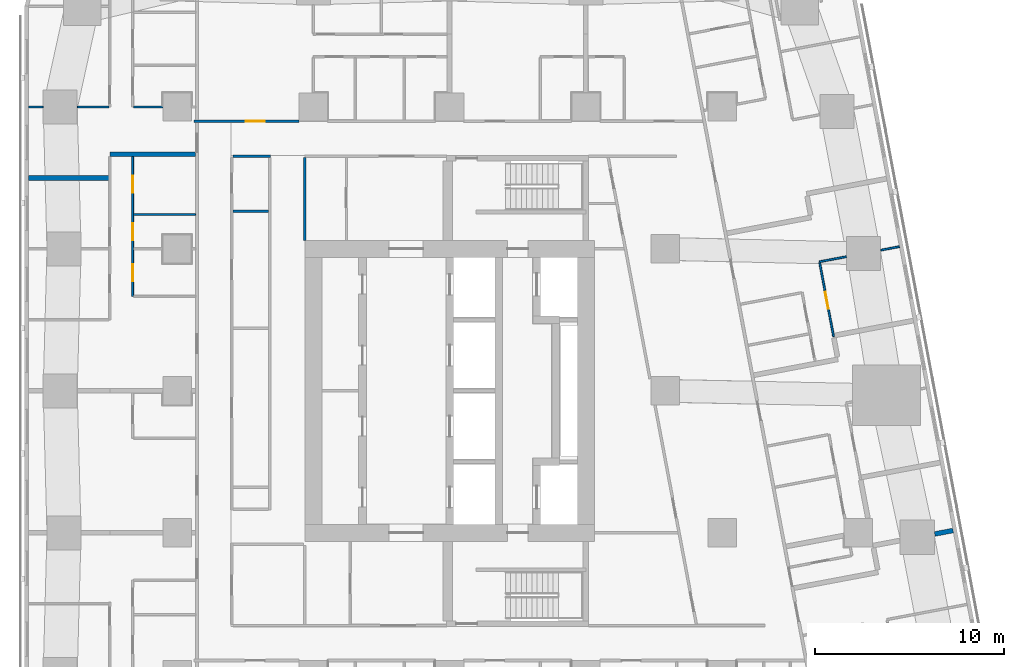
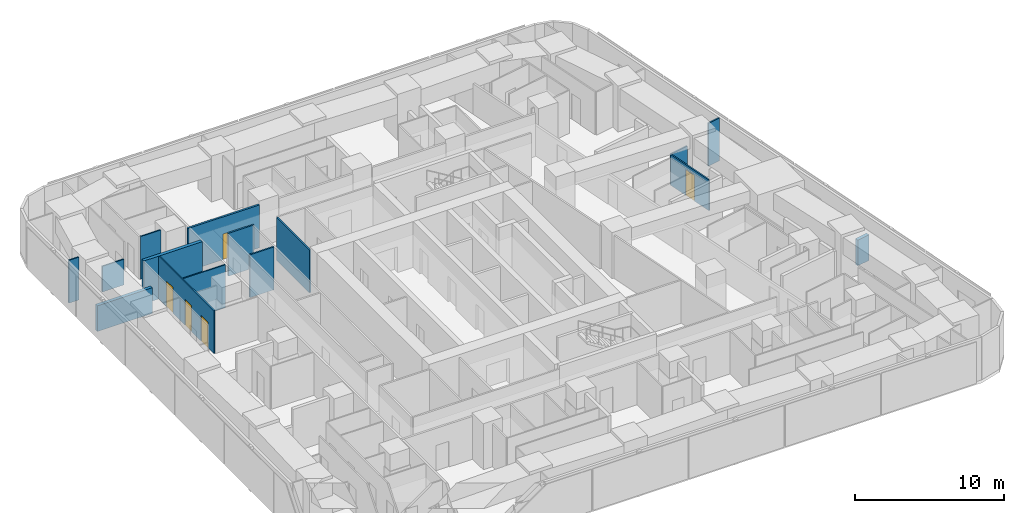
# One storey, part 8 of 15: 15 walls, 5 doors, 5 openings.
"""IFC4 building model written with IfcOpenShell, lengths in metres."""

from ifc_helpers import new_model, si_unit, direction, frame, frame_2d, origin, place, context, subcontext, project, spatial, rectangle, extrude, material, layer, layer_set, type_object, element, fill, save


model = new_model("IFC4")

# Units and contexts
model_context = context("Model", 3, precision=1e-05, world=origin(), true_north=direction((0.0, 1.0)))
body_context = subcontext(model_context, "Body", "Model", "MODEL_VIEW")
ifc_project = project(units=[si_unit("LENGTHUNIT", "METRE"), si_unit("AREAUNIT", "SQUARE_METRE"), si_unit("VOLUMEUNIT", "CUBIC_METRE"), si_unit("PLANEANGLEUNIT", "RADIAN"), si_unit("MASSUNIT", "GRAM", prefix="KILO")], contexts=[model_context])

# Site, building, storey
site_placement = place(None, origin())
site = spatial("IfcSite", under=ifc_project, at=site_placement, CompositionType="ELEMENT")
building_placement = place(site_placement, origin())
building = spatial("IfcBuilding", under=site, at=building_placement, Name="Sheger Commons Tower", CompositionType="ELEMENT")
storey_placement = place(building_placement, frame((0.0, 0.0, 177.050048828125)))
storey = spatial("IfcBuildingStorey", under=building, at=storey_placement, Name="L45", CompositionType="ELEMENT", Elevation=177.050048828125)

# Wall, opening, door
ifc_material_1 = material(Name="Hollow concrete block masonry, skimmed both sides", Category="masonry")
ifc_layer_1 = layer(ifc_material_1, 0.14990234375)
ifc_layer_set_1 = layer_set([ifc_layer_1], Name="CORRIDOR WALL 150")
wall_type_1 = type_object("IfcWallType", Name="CORRIDOR WALL 150", PredefinedType="SOLIDWALL", material=ifc_layer_set_1)
wall_1_placement = place(storey_placement, frame((8.10009765625, 36.75, 0.0), z_axis=(0.0, 0.0, 1.0), x_axis=(1.0, 0.0, 0.0)))
wall_1 = element("IfcWall", 1, at=wall_1_placement, inside=storey, type_object=wall_type_1, Name="Corridor wall L45", PredefinedType="SOLIDWALL", context=body_context, shape_type="SweptSolid", body=[
    extrude(rectangle(XDim=5.548828125, YDim=0.14990234375, at=frame_2d((2.7744140625, 0.0))), origin(), (0.0, 0.0, 1.0), 3.5),
])
opening_1_placement = place(wall_1_placement, frame((2.72509765625, 0.0, 0.0)))
opening_1 = element("IfcOpeningElement", 2, at=opening_1_placement, cuts=wall_1, Name="Opening D1", PredefinedType="OPENING", context=body_context, shape_type="SweptSolid", body=[
    extrude(rectangle(XDim=1.0, YDim=2.10009765625, at=frame_2d((0.5, 1.050048828125))), frame((0.0, 0.0849609375, 0.0), z_axis=(0.0, -1.0, 0.0), x_axis=(1.0, 0.0, 0.0)), (0.0, 0.0, 1.0), 0.169921875),
])
ifc_material_2 = material(Name="Steel door set, fire rated", Category="steel")
door_type_1 = type_object("IfcDoorType", Name="FLAT ENTRANCE DOOR 1000x2100", OperationType="NOTDEFINED", PredefinedType="DOOR", material=ifc_material_2)
door_1_placement = place(opening_1_placement, origin())
door_1 = element("IfcDoor", 3, at=door_1_placement, inside=storey, type_object=door_type_1, Name="Flat entrance door", OperationType="SINGLE_SWING_LEFT", OverallHeight=2.10009765625, OverallWidth=1.0, PredefinedType="DOOR", context=body_context, shape_type="SweptSolid", body=[
    extrude(rectangle(XDim=1.0, YDim=2.10009765625, at=frame_2d((0.5, 1.050048828125))), frame((0.0, 0.02490234375, 0.0), z_axis=(0.0, -1.0, 0.0), x_axis=(1.0, 0.0, 0.0)), (0.0, 0.0, 1.0), 0.050048828125),
])
fill(opening_1, door_1)

# Walls
ifc_material_3 = material(Name="Dense concrete block masonry, plastered both sides (separating wall between flats)", Category="masonry")
ifc_layer_2 = layer(ifc_material_3, 0.25)
ifc_layer_set_2 = layer_set([ifc_layer_2], Name="DEMISING WALL 250")
wall_type_2 = type_object("IfcWallType", Name="DEMISING WALL 250", PredefinedType="SOLIDWALL", material=ifc_layer_set_2)
wall_2_placement = place(storey_placement, frame((-0.64990234375, 33.75, 0.0), z_axis=(0.0, 0.0, 1.0), x_axis=(1.0, 0.0, 0.0)))
element("IfcWall", 4, at=wall_2_placement, inside=storey, type_object=wall_type_2, Name="Demising wall L45", PredefinedType="SOLIDWALL", context=body_context, shape_type="SweptSolid", body=[
    extrude(rectangle(XDim=4.25, YDim=0.25, at=frame_2d((2.125, 0.0))), origin(), (0.0, 0.0, 1.0), 2.099853515625),
])
wall_3_placement = place(storey_placement, frame((3.64990234375, 34.9990234375, 0.0), z_axis=(0.0, 0.0, 1.0), x_axis=(1.0, 0.0, 0.0)))
element("IfcWall", 5, at=wall_3_placement, inside=storey, type_object=wall_type_2, Name="Demising wall L45", PredefinedType="SOLIDWALL", context=body_context, shape_type="SweptSolid", body=[
    extrude(rectangle(XDim=4.525146484375, YDim=0.25, at=frame_2d((2.2626953125, 0.0))), origin(), (0.0, 0.0, 1.0), 3.5),
])
wall_4_placement = place(storey_placement, frame((48.2060546875, 15.1201171875, 0.0), z_axis=(0.0, 0.0, 1.0), x_axis=(-0.982576361834, -0.185859337043, 0.0)))
element("IfcWall", 6, at=wall_4_placement, inside=storey, type_object=wall_type_2, Name="Demising wall L45", PredefinedType="SOLIDWALL", context=body_context, shape_type="SweptSolid", body=[
    extrude(rectangle(XDim=0.985107421875, YDim=0.25, at=frame_2d((0.49267578125, 0.0))), origin(), (0.0, 0.0, 1.0), 2.099853515625),
])

# Wall, openings, doors
ifc_material_4 = material(Name="Gypsum board on steel studs", Category="steel")
ifc_layer_3 = layer(ifc_material_4, 0.10009765625)
ifc_layer_set_3 = layer_set([ifc_layer_3], Name="PARTITION 100")
wall_type_3 = type_object("IfcWallType", Name="PARTITION 100", PredefinedType="PARTITIONING", material=ifc_layer_set_3)
wall_5_placement = place(storey_placement, frame((4.85009765625, 27.4990234375, 0.0), z_axis=(0.0, 0.0, 1.0), x_axis=(0.0, 1.0, 0.0)))
wall_5 = element("IfcWall", 7, at=wall_5_placement, inside=storey, type_object=wall_type_3, Name="Partition L45", PredefinedType="PARTITIONING", context=body_context, shape_type="SweptSolid", body=[
    extrude(rectangle(XDim=7.375, YDim=0.10009765625, at=frame_2d((3.6875, 0.0))), origin(), (0.0, 0.0, 1.0), 3.5),
])
opening_2_placement = place(wall_5_placement, frame((0.800048828125, 0.0, 0.0)))
opening_2 = element("IfcOpeningElement", 8, at=opening_2_placement, cuts=wall_5, Name="Opening D2", PredefinedType="OPENING", context=body_context, shape_type="SweptSolid", body=[
    extrude(rectangle(XDim=0.89990234375, YDim=2.10009765625, at=frame_2d((0.449951171875, 1.050048828125))), frame((0.0, 0.06005859375, 0.0), z_axis=(0.0, -1.0, 0.0), x_axis=(1.0, 0.0, 0.0)), (0.0, 0.0, 1.0), 0.1201171875),
])
opening_3_placement = place(wall_5_placement, frame((2.9609375, 0.0, 0.0)))
opening_3 = element("IfcOpeningElement", 9, at=opening_3_placement, cuts=wall_5, Name="Opening D2", PredefinedType="OPENING", context=body_context, shape_type="SweptSolid", body=[
    extrude(rectangle(XDim=0.89990234375, YDim=2.10009765625, at=frame_2d((0.449951171875, 1.050048828125))), frame((0.0, 0.06005859375, 0.0), z_axis=(0.0, -1.0, 0.0), x_axis=(1.0, 0.0, 0.0)), (0.0, 0.0, 1.0), 0.1201171875),
])
opening_4_placement = place(wall_5_placement, frame((5.4609375, 0.0, 0.0)))
opening_4 = element("IfcOpeningElement", 10, at=opening_4_placement, cuts=wall_5, Name="Opening D2", PredefinedType="OPENING", context=body_context, shape_type="SweptSolid", body=[
    extrude(rectangle(XDim=0.89990234375, YDim=2.10009765625, at=frame_2d((0.449951171875, 1.050048828125))), frame((0.0, 0.06005859375, 0.0), z_axis=(0.0, -1.0, 0.0), x_axis=(1.0, 0.0, 0.0)), (0.0, 0.0, 1.0), 0.1201171875),
])
ifc_material_5 = material(Name="Timber door set", Category="wood")
door_type_2 = type_object("IfcDoorType", Name="INTERNAL DOOR 900x2100", OperationType="NOTDEFINED", PredefinedType="DOOR", material=ifc_material_5)
door_2_placement = place(opening_2_placement, origin())
door_2 = element("IfcDoor", 11, at=door_2_placement, inside=storey, type_object=door_type_2, Name="Bathroom door", OperationType="SINGLE_SWING_RIGHT", OverallHeight=2.10009765625, OverallWidth=0.89990234375, PredefinedType="DOOR", context=body_context, shape_type="SweptSolid", body=[
    extrude(rectangle(XDim=0.89990234375, YDim=2.10009765625, at=frame_2d((0.449951171875, 1.050048828125))), frame((0.0, 0.02490234375, 0.0), z_axis=(0.0, -1.0, 0.0), x_axis=(1.0, 0.0, 0.0)), (0.0, 0.0, 1.0), 0.050048828125),
])
fill(opening_2, door_2)
door_3_placement = place(opening_3_placement, origin())
door_3 = element("IfcDoor", 12, at=door_3_placement, inside=storey, type_object=door_type_2, Name="Laundry room door", OperationType="SINGLE_SWING_LEFT", OverallHeight=2.10009765625, OverallWidth=0.89990234375, PredefinedType="DOOR", context=body_context, shape_type="SweptSolid", body=[
    extrude(rectangle(XDim=0.89990234375, YDim=2.10009765625, at=frame_2d((0.449951171875, 1.050048828125))), frame((0.0, 0.02490234375, 0.0), z_axis=(0.0, -1.0, 0.0), x_axis=(1.0, 0.0, 0.0)), (0.0, 0.0, 1.0), 0.050048828125),
])
fill(opening_3, door_3)
door_4_placement = place(opening_4_placement, origin())
door_4 = element("IfcDoor", 13, at=door_4_placement, inside=storey, type_object=door_type_2, Name="Store door", OperationType="SINGLE_SWING_LEFT", OverallHeight=2.10009765625, OverallWidth=0.89990234375, PredefinedType="DOOR", context=body_context, shape_type="SweptSolid", body=[
    extrude(rectangle(XDim=0.89990234375, YDim=2.10009765625, at=frame_2d((0.449951171875, 1.050048828125))), frame((0.0, 0.02490234375, 0.0), z_axis=(0.0, -1.0, 0.0), x_axis=(1.0, 0.0, 0.0)), (0.0, 0.0, 1.0), 0.050048828125),
])
fill(opening_4, door_4)

# Walls
wall_6_placement = place(storey_placement, frame((4.89990234375, 31.820068359375, 0.0), z_axis=(0.0, 0.0, 1.0), x_axis=(1.0, 0.0, 0.0)))
element("IfcWall", 14, at=wall_6_placement, inside=storey, type_object=wall_type_3, Name="Partition L45", PredefinedType="PARTITIONING", context=body_context, shape_type="SweptSolid", body=[
    extrude(rectangle(XDim=3.275146484375, YDim=0.10009765625, at=frame_2d((1.6376953125, 0.0))), origin(), (0.0, 0.0, 1.0), 3.5),
])
wall_7_placement = place(storey_placement, frame((-0.64990234375, 37.5, 0.0), z_axis=(0.0, 0.0, 1.0), x_axis=(1.0, 0.0, 0.0)))
element("IfcWall", 15, at=wall_7_placement, inside=storey, type_object=wall_type_3, Name="Partition L45", PredefinedType="PARTITIONING", context=body_context, shape_type="SweptSolid", body=[
    extrude(rectangle(XDim=0.77392578125, YDim=0.10009765625, at=frame_2d((0.386962890625, 0.0))), origin(), (0.0, 0.0, 1.0), 3.5),
])
wall_8_placement = place(storey_placement, frame((1.926025390625, 37.5, 0.0), z_axis=(0.0, 0.0, 1.0), x_axis=(1.0, 0.0, 0.0)))
element("IfcWall", 16, at=wall_8_placement, inside=storey, type_object=wall_type_3, Name="Partition L45", PredefinedType="PARTITIONING", context=body_context, shape_type="SweptSolid", body=[
    extrude(rectangle(XDim=1.674072265625, YDim=0.10009765625, at=frame_2d((0.8369140625, 0.0))), origin(), (0.0, 0.0, 1.0), 2.099853515625),
])
wall_9_placement = place(storey_placement, frame((4.89990234375, 37.5, 0.0), z_axis=(0.0, 0.0, 1.0), x_axis=(1.0, 0.0, 0.0)))
element("IfcWall", 17, at=wall_9_placement, inside=storey, type_object=wall_type_3, Name="Partition L45", PredefinedType="PARTITIONING", context=body_context, shape_type="SweptSolid", body=[
    extrude(rectangle(XDim=1.549072265625, YDim=0.10009765625, at=frame_2d((0.7744140625, 0.0))), origin(), (0.0, 0.0, 1.0), 3.5),
])

# Wall, opening, door
wall_10_placement = place(storey_placement, frame((41.156005859375, 29.27294921875, 0.0), z_axis=(0.0, 0.0, 1.0), x_axis=(0.185662195158, -0.982613631744, 0.0)))
wall_10 = element("IfcWall", 18, at=wall_10_placement, inside=storey, type_object=wall_type_3, Name="Partition L45", PredefinedType="PARTITIONING", context=body_context, shape_type="SweptSolid", body=[
    extrude(rectangle(XDim=3.969970703125, YDim=0.10009765625, at=frame_2d((1.98486328125, 0.0))), origin(), (0.0, 0.0, 1.0), 2.5),
])
opening_5_placement = place(wall_10_placement, frame((1.5810546875, 0.0, 0.0)))
opening_5 = element("IfcOpeningElement", 19, at=opening_5_placement, cuts=wall_10, Name="Opening D2", PredefinedType="OPENING", context=body_context, shape_type="SweptSolid", body=[
    extrude(rectangle(XDim=0.89990234375, YDim=2.10009765625, at=frame_2d((0.449951171875, 1.050048828125))), frame((0.0, 0.06005859375, 0.0), z_axis=(0.0, -1.0, 0.0), x_axis=(1.0, 0.0, 0.0)), (0.0, 0.0, 1.0), 0.1201171875),
])
door_5_placement = place(opening_5_placement, origin())
door_5 = element("IfcDoor", 20, at=door_5_placement, inside=storey, type_object=door_type_2, Name="Main bedroom door", OperationType="SINGLE_SWING_RIGHT", OverallHeight=2.10009765625, OverallWidth=0.89990234375, PredefinedType="DOOR", context=body_context, shape_type="SweptSolid", body=[
    extrude(rectangle(XDim=0.89990234375, YDim=2.10009765625, at=frame_2d((0.449951171875, 1.050048828125))), frame((0.0, 0.02490234375, 0.0), z_axis=(0.0, -1.0, 0.0), x_axis=(1.0, 0.0, 0.0)), (0.0, 0.0, 1.0), 0.050048828125),
])
fill(opening_5, door_5)

# Walls
wall_11_placement = place(storey_placement, frame((45.3720703125, 30.12109375, 0.0), z_axis=(0.0, 0.0, 1.0), x_axis=(-0.982530437059, -0.186101961978, 0.0)))
element("IfcWall", 21, at=wall_11_placement, inside=storey, type_object=wall_type_3, Name="Partition L45", PredefinedType="PARTITIONING", context=body_context, shape_type="SweptSolid", body=[
    extrude(rectangle(XDim=0.999755859375, YDim=0.10009765625, at=frame_2d((0.5, 0.0))), origin(), (0.0, 0.0, 1.0), 3.5),
])
wall_12_placement = place(storey_placement, frame((42.570068359375, 29.591064453125, 0.0), z_axis=(0.0, 0.0, 1.0), x_axis=(-0.98259436979, -0.185764109712, 0.0)))
element("IfcWall", 22, at=wall_12_placement, inside=storey, type_object=wall_type_3, Name="Partition L45", PredefinedType="PARTITIONING", context=body_context, shape_type="SweptSolid", body=[
    extrude(rectangle(XDim=1.4482421875, YDim=0.10009765625, at=frame_2d((0.72412109375, 0.0))), origin(), (0.0, 0.0, 1.0), 2.5),
])
ifc_material_6 = material(Name="Gypsum board on steel studs, two layers each side, fire rated", Category="steel")
ifc_layer_4 = layer(ifc_material_6, 0.125)
ifc_layer_set_4 = layer_set([ifc_layer_4], Name="SERVICE WALL 125")
wall_type_4 = type_object("IfcWallType", Name="SERVICE WALL 125", PredefinedType="PARTITIONING", material=ifc_layer_set_4)
wall_13_placement = place(storey_placement, frame((10.162109375, 32.0, 0.0), z_axis=(0.0, 0.0, 1.0), x_axis=(1.0, 0.0, 0.0)))
element("IfcWall", 23, at=wall_13_placement, inside=storey, type_object=wall_type_4, Name="Service room wall L45", PredefinedType="PARTITIONING", context=body_context, shape_type="SweptSolid", body=[
    extrude(rectangle(XDim=1.875, YDim=0.125, at=frame_2d((0.9375, 0.0))), origin(), (0.0, 0.0, 1.0), 3.5),
])
wall_14_placement = place(storey_placement, frame((13.949951171875, 30.449951171875, 0.0), z_axis=(0.0, 0.0, 1.0), x_axis=(0.0, 1.0, 0.0)))
element("IfcWall", 24, at=wall_14_placement, inside=storey, type_object=wall_type_4, Name="Service room wall L45", PredefinedType="PARTITIONING", context=body_context, shape_type="SweptSolid", body=[
    extrude(rectangle(XDim=4.386962890625, YDim=0.125, at=frame_2d((2.193359375, 0.0))), origin(), (0.0, 0.0, 1.0), 3.5),
])
wall_15_placement = place(storey_placement, frame((10.162109375, 34.89990234375, 0.0), z_axis=(0.0, 0.0, 1.0), x_axis=(1.0, 0.0, 0.0)))
element("IfcWall", 25, at=wall_15_placement, inside=storey, type_object=wall_type_4, Name="Service room wall L45", PredefinedType="PARTITIONING", context=body_context, shape_type="SweptSolid", body=[
    extrude(rectangle(XDim=1.98779296875, YDim=0.125, at=frame_2d((0.993896484375, 0.0))), origin(), (0.0, 0.0, 1.0), 3.5),
])

save(model, "model.ifc")
